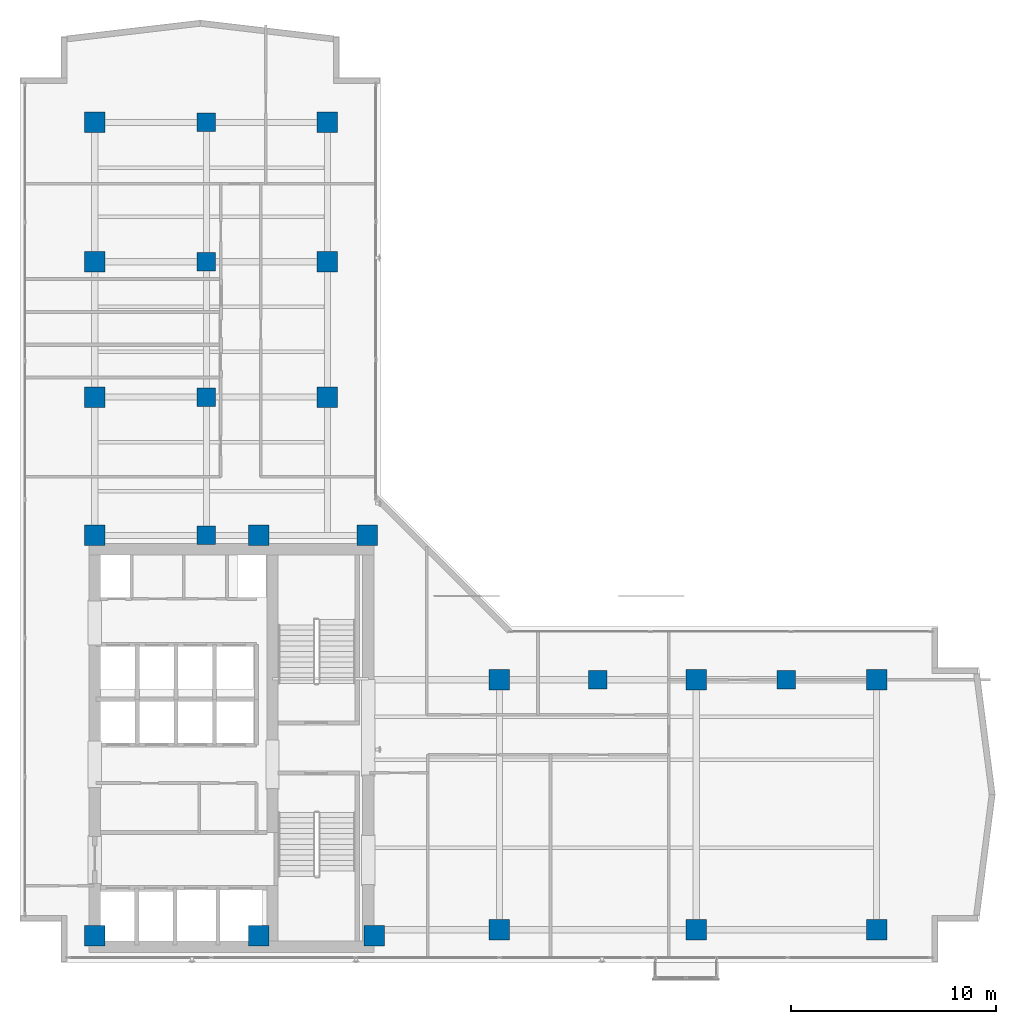
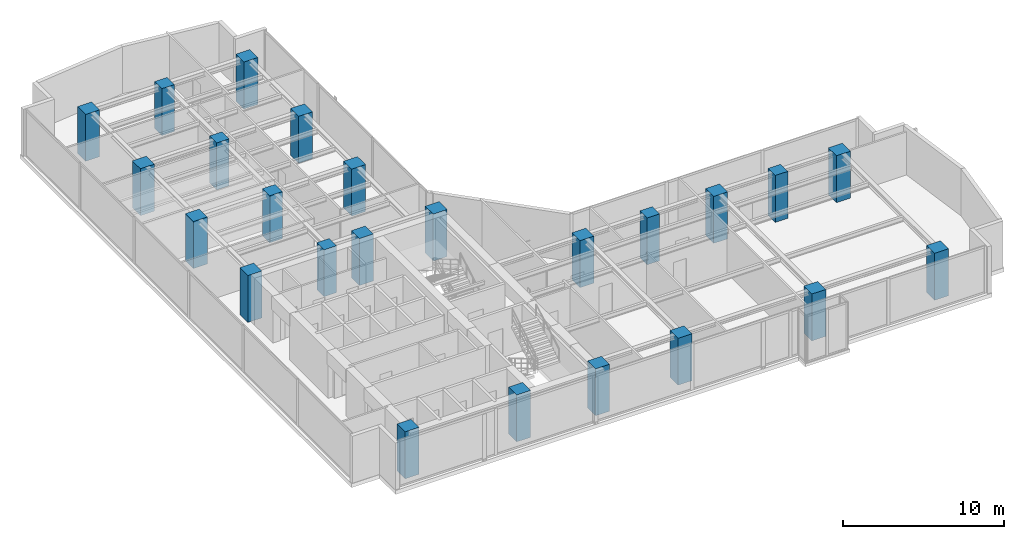
# One storey, part 1 of 25: 24 columns.
"""IFC4 building model written with IfcOpenShell, lengths in metres."""

from ifc_helpers import new_model, si_unit, direction, frame, origin, origin_2d, place, context, subcontext, project, spatial, rectangle, extrude, material, material_profile, profile_set, type_object, element, save


model = new_model("IFC4")

# Units and contexts
model_context = context("Model", 3, precision=1e-05, world=origin(), true_north=direction((0.0, 1.0)))
body_context = subcontext(model_context, "Body", "Model", "MODEL_VIEW")
ifc_project = project(units=[si_unit("LENGTHUNIT", "METRE"), si_unit("AREAUNIT", "SQUARE_METRE"), si_unit("VOLUMEUNIT", "CUBIC_METRE"), si_unit("PLANEANGLEUNIT", "RADIAN"), si_unit("MASSUNIT", "GRAM", prefix="KILO")], contexts=[model_context])

# Site, building, storey
site_placement = place(None, origin())
site = spatial("IfcSite", under=ifc_project, at=site_placement, CompositionType="ELEMENT")
building_placement = place(site_placement, origin())
building = spatial("IfcBuilding", under=site, at=building_placement, Name="Kolvaren Waterfront Exchange", CompositionType="ELEMENT")
storey_placement = place(building_placement, frame((0.0, 0.0, 223.5)))
storey = spatial("IfcBuildingStorey", under=building, at=storey_placement, Name="L57", CompositionType="ELEMENT", Elevation=223.5)

# Columns
ifc_material = material(Name="Concrete C50/60", Category="concrete")
ifc_material_profile_1 = material_profile(ifc_material, rectangle(XDim=1.0, YDim=1.0, at=origin_2d()), Name="RC-COL-1000x1000")
ifc_profile_set_1 = profile_set([ifc_material_profile_1], Name="Concrete C50/60")
column_type_1 = type_object("IfcColumnType", Name="STR-COL-1000-C50", PredefinedType="COLUMN", material=ifc_profile_set_1)
for number, where, z_axis, x_axis, name in (
    (1, (7.449951171875, 4.89990234375, 0.0), (0.0, 0.0, 1.0), (1.0, 0.0, 0.0), "L57 column MC01"),
    (2, (15.449951171875, 4.89990234375, 0.0), (0.0, 0.0, 1.0), (1.0, 0.0, 0.0), "L57 column MC02"),
    (3, (21.10009765625, 4.89990234375, 0.0), (0.0, 0.0, 1.0), (1.0, 0.0, 0.0), "L57 column MC03"),
    (4, (7.449951171875, 24.449951171875, 0.0), (0.0, 0.0, 1.0), (1.0, 0.0, 0.0), "L57 column MC04"),
    (5, (15.449951171875, 24.449951171875, 0.0), (0.0, 0.0, 1.0), (1.0, 0.0, 0.0), "L57 column MC05"),
    (6, (20.75, 24.449951171875, 0.0), (0.0, 0.0, 1.0), (1.0, 0.0, 0.0), "L57 column MC06"),
    (7, (7.449951171875, 31.199951171875, 0.0), (0.0, 0.0, 1.0), (1.0, 0.0, 0.0), "L57 column NC01"),
    (8, (7.449951171875, 37.800048828125, 0.0), (0.0, 0.0, 1.0), (1.0, 0.0, 0.0), "L57 column NC02"),
    (9, (7.449951171875, 44.60009765625, 0.0), (0.0, 0.0, 1.0), (1.0, 0.0, 0.0), "L57 column NC03"),
    (10, (18.800048828125, 31.199951171875, 0.0), (0.0, 0.0, 1.0), (1.0, 0.0, 0.0), "L57 column NC04"),
    (11, (18.800048828125, 37.800048828125, 0.0), (0.0, 0.0, 1.0), (1.0, 0.0, 0.0), "L57 column NC05"),
    (12, (18.800048828125, 44.60009765625, 0.0), (0.0, 0.0, 1.0), (1.0, 0.0, 0.0), "L57 column NC06"),
    (13, (27.199951171875, 5.199951171875, 0.0), (0.0, 0.0, 1.0), (1.0, 0.0, 0.0), "L57 column EC01"),
    (14, (36.800048828125, 5.199951171875, 0.0), (0.0, 0.0, 1.0), (1.0, 0.0, 0.0), "L57 column EC02"),
    (15, (45.60009765625, 5.199951171875, 0.0), (0.0, 0.0, 1.0), (1.0, 0.0, 0.0), "L57 column EC03"),
    (16, (27.199951171875, 17.39990234375, 0.0), (0.0, 0.0, 1.0), (1.0, 0.0, 0.0), "L57 column EC04"),
    (17, (36.800048828125, 17.39990234375, 0.0), (0.0, 0.0, 1.0), (1.0, 0.0, 0.0), "L57 column EC05"),
    (18, (45.60009765625, 17.39990234375, 0.0), (0.0, 0.0, 1.0), (1.0, 0.0, 0.0), "L57 column EC06"),
):
    element("IfcColumn", number, at=place(storey_placement, frame(where, z_axis=z_axis, x_axis=x_axis)), inside=storey, type_object=column_type_1, Name=name, PredefinedType="COLUMN", context=body_context, shape_type="SweptSolid", body=[
        extrude(rectangle(XDim=1.0, YDim=1.0, at=origin_2d()), origin(), (0.0, 0.0, 1.0), 3.56005859375),
    ])
ifc_material_profile_2 = material_profile(ifc_material, rectangle(XDim=0.89990234375, YDim=0.89990234375, at=origin_2d()), Name="RC-COL-900x900")
ifc_profile_set_2 = profile_set([ifc_material_profile_2], Name="Concrete C50/60")
column_type_2 = type_object("IfcColumnType", Name="STR-COL-900-C50", PredefinedType="COLUMN", material=ifc_profile_set_2)
for number, where, z_axis, x_axis, name in (
    (19, (12.89990234375, 24.449951171875, 0.0), (0.0, 0.0, 1.0), (1.0, 0.0, 0.0), "L57 column TC01"),
    (20, (12.89990234375, 31.199951171875, 0.0), (0.0, 0.0, 1.0), (1.0, 0.0, 0.0), "L57 column TC02"),
    (21, (12.89990234375, 37.800048828125, 0.0), (0.0, 0.0, 1.0), (1.0, 0.0, 0.0), "L57 column TC03"),
    (22, (12.89990234375, 44.60009765625, 0.0), (0.0, 0.0, 1.0), (1.0, 0.0, 0.0), "L57 column TC04"),
    (23, (32.0, 17.39990234375, 0.0), (0.0, 0.0, 1.0), (1.0, 0.0, 0.0), "L57 column TC05"),
    (24, (41.199951171875, 17.39990234375, 0.0), (0.0, 0.0, 1.0), (1.0, 0.0, 0.0), "L57 column TC06"),
):
    element("IfcColumn", number, at=place(storey_placement, frame(where, z_axis=z_axis, x_axis=x_axis)), inside=storey, type_object=column_type_2, Name=name, PredefinedType="COLUMN", context=body_context, shape_type="SweptSolid", body=[
        extrude(rectangle(XDim=0.89990234375, YDim=0.89990234375, at=origin_2d()), origin(), (0.0, 0.0, 1.0), 3.56005859375),
    ])

save(model, "model.ifc")
